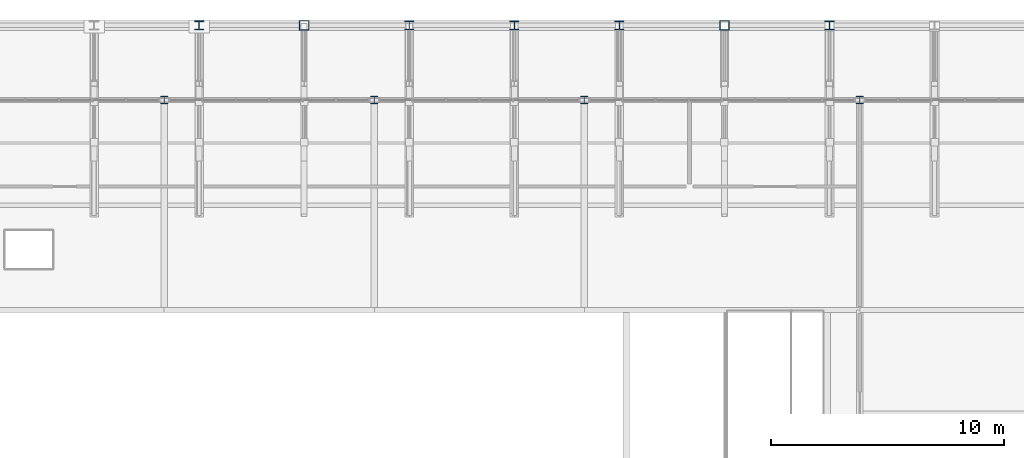
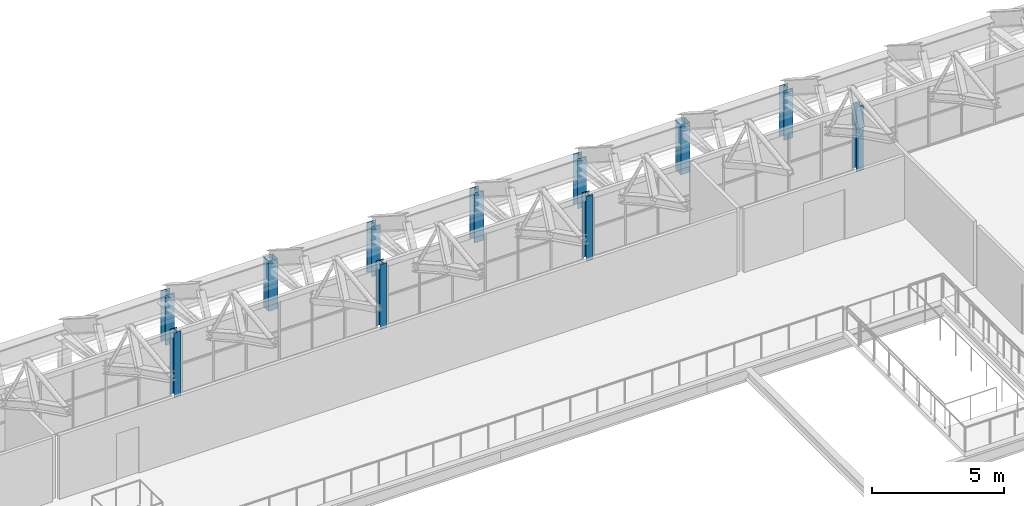
# One storey, part 21 of 134: 11 columns.
"""IFC4 building model written with IfcOpenShell, lengths in metres."""

import ifcopenshell
import ifcopenshell.guid

model = None  # the IFC model being written
_history = None  # IfcOwnerHistory: only IFC2X3 demands one
_inside = {}  # id of a spatial element -> (the spatial element, [elements in it])
_under = {}  # id of a project, library or spatial element -> (it, [spatial elements below it])
_declared = {}  # id of a project -> (the project, [libraries it declares])
_typed = {}  # id of a type object -> (the type object, [elements of that type])
_made_of = {}  # id of a material, layer set ... -> (it, [elements and type objects made of it])


def new_model(schema):
    """Start an empty IFC model of exactly this schema.

    Asked for "IFC4X3", IfcOpenShell would pick the latest addendum, in which some entities
    have other attributes; the version numbers below select the first issue.
    IFC2X3 requires an IfcOwnerHistory on every rooted entity: one is made here for all.
    """
    global model, _history
    if schema == "IFC4X3":
        model = ifcopenshell.file(schema_version=(4, 3, 0, 0))
    else:
        model = ifcopenshell.file(schema=schema)
    _inside.clear()
    _under.clear()
    _declared.clear()
    _typed.clear()
    _made_of.clear()
    _history = None
    if model.schema == "IFC2X3":
        org = make("IfcOrganization", Name="unknown")
        user = make(
            "IfcPersonAndOrganization",
            ThePerson=make("IfcPerson", FamilyName="unknown"),
            TheOrganization=org,
        )
        app = make(
            "IfcApplication",
            ApplicationDeveloper=org,
            Version="unknown",
            ApplicationFullName="unknown",
            ApplicationIdentifier="unknown",
        )
        _history = make(
            "IfcOwnerHistory",
            OwningUser=user,
            OwningApplication=app,
            ChangeAction="ADDED",
            CreationDate=0,
        )
    return model


def make(cls, **values):
    """One entity of the class cls with the attributes given. An attribute that is None is left unset."""
    return model.create_entity(
        cls, **{name: value for name, value in values.items() if value is not None}
    )


def rooted(cls, **values):
    """An entity with a GlobalId (a new one), such as an element, a storey or a relation."""
    return make(cls, GlobalId=ifcopenshell.guid.new(), OwnerHistory=_history, **values)


def si_unit(unit_type, name, prefix=None):
    """IfcSIUnit, for example si_unit("LENGTHUNIT", "METRE", prefix="MILLI")."""
    return make("IfcSIUnit", UnitType=unit_type, Prefix=prefix, Name=name)


def assignment(units):
    """IfcUnitAssignment: the units of a project."""
    return None if units is None else make("IfcUnitAssignment", Units=units)


def point(xyz):
    """IfcCartesianPoint."""
    return None if xyz is None else make("IfcCartesianPoint", Coordinates=xyz)


def direction(xyz):
    """IfcDirection."""
    return None if xyz is None else make("IfcDirection", DirectionRatios=xyz)


def frame(location, z_axis=None, x_axis=None):
    """IfcAxis2Placement3D, a coordinate frame: its origin and axes. An axis left out is left unset."""
    return make(
        "IfcAxis2Placement3D",
        Location=point(location),
        Axis=direction(z_axis),
        RefDirection=direction(x_axis),
    )


def frame_2d(location, x_axis=None):
    """IfcAxis2Placement2D, a coordinate frame in the plane: its origin and x axis."""
    return make(
        "IfcAxis2Placement2D", Location=point(location), RefDirection=direction(x_axis)
    )


def origin():
    """The frame at (0, 0, 0) with its axes left unset."""
    return frame((0.0, 0.0, 0.0))


def origin_2d():
    """The frame at (0, 0) in the plane with its x axis left unset."""
    return frame_2d((0.0, 0.0))


def place(relative_to, where):
    """IfcLocalPlacement: puts the frame where relative to a parent placement (None: the world)."""
    return make(
        "IfcLocalPlacement", PlacementRelTo=relative_to, RelativePlacement=where
    )


def context(
    kind, dimensions, precision=None, world=None, true_north=None, identifier=None
):
    """IfcGeometricRepresentationContext, for example the 3D "Model" context."""
    return make(
        "IfcGeometricRepresentationContext",
        ContextIdentifier=identifier,
        ContextType=kind,
        CoordinateSpaceDimension=dimensions,
        Precision=precision,
        WorldCoordinateSystem=world,
        TrueNorth=true_north,
    )


def subcontext(parent, identifier, kind, view, scale=None):
    """IfcGeometricRepresentationSubContext, for example "Body" below "Model"."""
    return make(
        "IfcGeometricRepresentationSubContext",
        ContextIdentifier=identifier,
        ContextType=kind,
        ParentContext=parent,
        TargetScale=scale,
        TargetView=view,
    )


def project(units=None, contexts=None):
    """IfcProject with its units and contexts."""
    return rooted(
        "IfcProject",
        Name="project",
        RepresentationContexts=contexts,
        UnitsInContext=assignment(units),
    )


def spatial(cls, under=None, at=None, **own):
    """A site, building, storey or space (cls), placed at a placement, below another one or the project."""
    s = rooted(cls, ObjectPlacement=at, **own)
    if under is not None:
        _under.setdefault(under.id(), (under, []))[1].append(s)
    return s


def profile(cls, at=None, kind="AREA", **sizes):
    """A parametric profile (cls). Its sizes go by their IFC names, for example OverallWidth=200.0."""
    return make(cls, ProfileType=kind, Position=at, **sizes)


def hollow_rectangle(**sizes):
    """IfcRectangleHollowProfileDef."""
    return profile("IfcRectangleHollowProfileDef", **sizes)


def i_section(**sizes):
    """IfcIShapeProfileDef."""
    return profile("IfcIShapeProfileDef", **sizes)


def extrude(swept, where, along, depth):
    """IfcExtrudedAreaSolid: the profile swept, set in the frame where, extruded along a direction by depth."""
    return make(
        "IfcExtrudedAreaSolid",
        SweptArea=swept,
        Position=where,
        ExtrudedDirection=direction(along),
        Depth=depth,
    )


def shape(context_of_items, identifier, shape_type, items):
    """IfcShapeRepresentation: the items that make up one representation, for example the "Body"."""
    return make(
        "IfcShapeRepresentation",
        ContextOfItems=context_of_items,
        RepresentationIdentifier=identifier,
        RepresentationType=shape_type,
        Items=items,
    )


def material(Name=None, Category=None):
    """IfcMaterial."""
    return make("IfcMaterial", Name=Name, Category=Category)


def material_profile(
    of_material, cross_section, Name=None, Category=None, Priority=None
):
    """IfcMaterialProfile: a cross section and its material."""
    return make(
        "IfcMaterialProfile",
        Name=Name,
        Material=of_material,
        Profile=cross_section,
        Priority=Priority,
        Category=Category,
    )


def profile_set(profiles, Name=None, composite=None):
    """IfcMaterialProfileSet."""
    return make(
        "IfcMaterialProfileSet",
        Name=Name,
        MaterialProfiles=profiles,
        CompositeProfile=composite,
    )


def made_of(thing, what):
    """Note that an element or type object is made of a material, layer set ...; save() writes the relation."""
    if what is not None:
        _made_of.setdefault(what.id(), (what, []))[1].append(thing)
    return thing


def type_object(cls, material=None, **own):
    """A type object (cls), such as IfcWallType, which elements share."""
    return made_of(rooted(cls, **own), material)


def element(
    cls,
    number,
    at=None,
    inside=None,
    cuts=None,
    type_object=None,
    material=None,
    context=None,
    identifier="Body",
    shape_type=None,
    held_by="IfcProductDefinitionShape",
    body=None,
    shapes=None,
    **own,
):
    """One element of the class cls, such as IfcWall. Its Tag is "e" and its number.

    at: its placement. inside: the storey or other place that contains it. cuts: it is an
    opening in that element (IfcRelVoidsElement). A single representation is given by context,
    identifier, shape_type and body (its items); several are given by shapes. held_by: the class
    of the entity that holds the representations. save() writes the other relations.
    """
    e = rooted(cls, Tag="e%d" % number, ObjectPlacement=at, **own)
    if body is not None:
        shapes = [shape(context, identifier, shape_type, body)]
    if shapes is not None:
        e.Representation = make(held_by, Representations=shapes)
    if inside is not None:
        _inside.setdefault(inside.id(), (inside, []))[1].append(e)
    if cuts is not None:
        rooted(
            "IfcRelVoidsElement", RelatingBuildingElement=cuts, RelatedOpeningElement=e
        )
    if type_object is not None:
        _typed.setdefault(type_object.id(), (type_object, []))[1].append(e)
    return made_of(e, material)


def aggregate(whole, parts):
    """IfcRelAggregates: a whole, such as a stair, and the parts it consists of."""
    return rooted("IfcRelAggregates", RelatingObject=whole, RelatedObjects=parts)


def save(model, path):
    """Write the relations noted so far, then the file.

    IfcRelAggregates (storeys below a building ...), IfcRelContainedInSpatialStructure (elements
    in a storey), IfcRelDefinesByType, IfcRelAssociatesMaterial and IfcRelDeclares: one each for
    every whole, place, type object, material and project.
    """
    for whole, parts in _under.values():
        aggregate(whole, parts)
    for where, things in _inside.values():
        rooted(
            "IfcRelContainedInSpatialStructure",
            RelatedElements=things,
            RelatingStructure=where,
        )
    for kind, things in _typed.values():
        rooted("IfcRelDefinesByType", RelatedObjects=things, RelatingType=kind)
    for what, things in _made_of.values():
        rooted("IfcRelAssociatesMaterial", RelatedObjects=things, RelatingMaterial=what)
    for by, libraries in _declared.values():
        rooted("IfcRelDeclares", RelatingContext=by, RelatedDefinitions=libraries)
    model.write(path)


model = new_model("IFC4")

# Units and contexts
model_context = context("Model", 3, precision=1e-05, world=origin(), true_north=direction((0.0, 1.0)))
body_context = subcontext(model_context, "Body", "Model", "MODEL_VIEW")
ifc_project = project(units=[si_unit("LENGTHUNIT", "METRE"), si_unit("AREAUNIT", "SQUARE_METRE"), si_unit("VOLUMEUNIT", "CUBIC_METRE"), si_unit("PLANEANGLEUNIT", "RADIAN"), si_unit("MASSUNIT", "GRAM", prefix="KILO")], contexts=[model_context])

# Site, building, storey
site_placement = place(None, origin())
site = spatial("IfcSite", under=ifc_project, at=site_placement, CompositionType="ELEMENT")
building_placement = place(site_placement, origin())
building = spatial("IfcBuilding", under=site, at=building_placement, Name="Cazmaro Siding Exhibition Halls", CompositionType="ELEMENT")
storey_placement = place(building_placement, frame((0.0, 0.0, 12.0)))
storey = spatial("IfcBuildingStorey", under=building, at=storey_placement, Name="L02", CompositionType="ELEMENT", Elevation=12.0)

# Columns
ifc_material_1 = material(Name="Steel ASTM A992 Grade 50", Category="steel")
ifc_material_profile_1 = material_profile(ifc_material_1, i_section(OverallWidth=0.39208984375, OverallDepth=0.3759765625, WebThickness=0.01708984375, FlangeThickness=0.028076171875, at=origin_2d()), Name="W14X145")
ifc_profile_set_1 = profile_set([ifc_material_profile_1], Name="Steel ASTM A992 Grade 50")
column_type_1 = type_object("IfcColumnType", Name="C-03", PredefinedType="COLUMN", material=ifc_profile_set_1)
for number, where, z_axis, x_axis, name in (
    (1, (130.5, 124.0, 0.0), (0.0, 0.0, 1.0), (1.0, 0.0, 0.0), "Column C-03 COL-0120"),
    (2, (139.5, 124.0, 0.0), (0.0, 0.0, 1.0), (1.0, 0.0, 0.0), "Column C-03 COL-0132"),
    (3, (148.5, 124.0, 0.0), (0.0, 0.0, 1.0), (1.0, 0.0, 0.0), "Column C-03 COL-0144"),
    (4, (157.5, 124.0, 0.0), (0.0, 0.0, 1.0), (1.0, 0.0, 0.0), "Column C-03 COL-0156"),
):
    element("IfcColumn", number, at=place(storey_placement, frame(where, z_axis=z_axis, x_axis=x_axis)), inside=storey, type_object=column_type_1, Name=name, PredefinedType="COLUMN", context=body_context, shape_type="SweptSolid", body=[
        extrude(i_section(OverallWidth=0.39208984375, OverallDepth=0.3759765625, WebThickness=0.01708984375, FlangeThickness=0.028076171875, at=origin_2d()), origin(), (0.0, 0.0, 1.0), 2.300048828125),
    ])
ifc_material_2 = material(Name="Steel ASTM A992 Grade 50", Category="steel")
ifc_material_profile_2 = material_profile(ifc_material_2, i_section(OverallWidth=0.304931640625, OverallDepth=0.306884765625, WebThickness=0.010009765625, FlangeThickness=0.014892578125, at=origin_2d()), Name="W12X65")
ifc_profile_set_2 = profile_set([ifc_material_profile_2], Name="Steel ASTM A992 Grade 50")
column_type_2 = type_object("IfcColumnType", Name="C-06", PredefinedType="COLUMN", material=ifc_profile_set_2)
for number, where, z_axis, x_axis, name in (
    (5, (129.0, 120.800048828125, 0.0), (0.0, 0.0, 1.0), (1.0, 0.0, 0.0), "Column C-06 COL-0354"),
    (6, (138.0, 120.800048828125, 0.0), (0.0, 0.0, 1.0), (1.0, 0.0, 0.0), "Column C-06 COL-0364"),
    (7, (147.0, 120.800048828125, 0.0), (0.0, 0.0, 1.0), (1.0, 0.0, 0.0), "Column C-06 COL-0374"),
    (8, (158.800048828125, 120.800048828125, 0.0), (0.0, 0.0, 1.0), (1.0, 0.0, 0.0), "Column C-06 COL-0382"),
):
    element("IfcColumn", number, at=place(storey_placement, frame(where, z_axis=z_axis, x_axis=x_axis)), inside=storey, type_object=column_type_2, Name=name, PredefinedType="COLUMN", context=body_context, shape_type="SweptSolid", body=[
        extrude(i_section(OverallWidth=0.304931640625, OverallDepth=0.306884765625, WebThickness=0.010009765625, FlangeThickness=0.014892578125, at=origin_2d()), origin(), (0.0, 0.0, 1.0), 3.0),
    ])
ifc_material_3 = material(Name="Steel ASTM A992 Grade 50", Category="steel")
ifc_material_profile_3 = material_profile(ifc_material_3, i_section(OverallWidth=0.39892578125, OverallDepth=0.386962890625, WebThickness=0.02099609375, FlangeThickness=0.032958984375, at=origin_2d()), Name="W14X176")
ifc_profile_set_3 = profile_set([ifc_material_profile_3], Name="Steel ASTM A992 Grade 50")
column_type_3 = type_object("IfcColumnType", Name="C-11", PredefinedType="COLUMN", material=ifc_profile_set_3)
column_placement = place(storey_placement, frame((144.0, 124.0, 0.0), z_axis=(0.0, 0.0, 1.0), x_axis=(1.0, 0.0, 0.0)))
element("IfcColumn", 9, at=column_placement, inside=storey, type_object=column_type_3, Name="Column C-11 COL-0138", PredefinedType="COLUMN", context=body_context, shape_type="SweptSolid", body=[
    extrude(i_section(OverallWidth=0.39892578125, OverallDepth=0.386962890625, WebThickness=0.02099609375, FlangeThickness=0.032958984375, at=origin_2d()), origin(), (0.0, 0.0, 1.0), 2.300048828125),
])
ifc_material_4 = material(Name="Steel ASTM A500 Grade C", Category="steel")
ifc_material_profile_4 = material_profile(ifc_material_4, hollow_rectangle(XDim=0.406005859375, YDim=0.406005859375, WallThickness=0.014892578125, at=origin_2d()), Name="HSS16X16X5/8")
ifc_profile_set_4 = profile_set([ifc_material_profile_4], Name="Steel ASTM A500 Grade C")
column_type_4 = type_object("IfcColumnType", Name="PL-01", PredefinedType="PILASTER", material=ifc_profile_set_4)
for number, where, z_axis, x_axis, name in (
    (10, (135.0, 124.0, 0.0), (0.0, 0.0, 1.0), (1.0, 0.0, 0.0), "Column PL-01 COL-0126"),
    (11, (153.0, 124.0, 0.0), (0.0, 0.0, 1.0), (1.0, 0.0, 0.0), "Column PL-01 COL-0150"),
):
    element("IfcColumn", number, at=place(storey_placement, frame(where, z_axis=z_axis, x_axis=x_axis)), inside=storey, type_object=column_type_4, Name=name, PredefinedType="PILASTER", context=body_context, shape_type="SweptSolid", body=[
        extrude(hollow_rectangle(XDim=0.406005859375, YDim=0.406005859375, WallThickness=0.014892578125, at=origin_2d()), origin(), (0.0, 0.0, 1.0), 2.300048828125),
    ])

save(model, "model.ifc")
